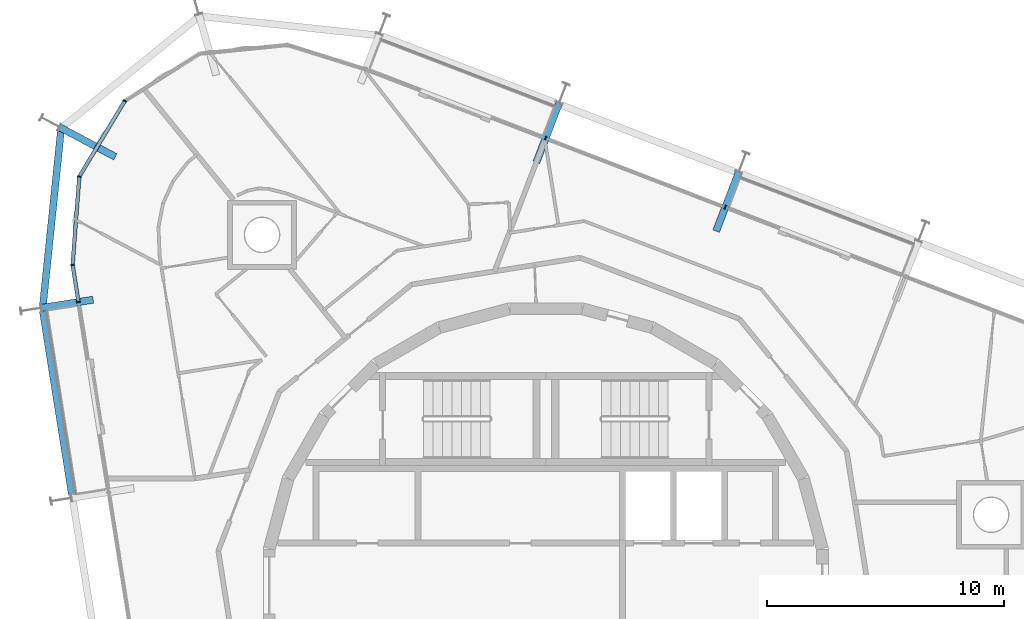
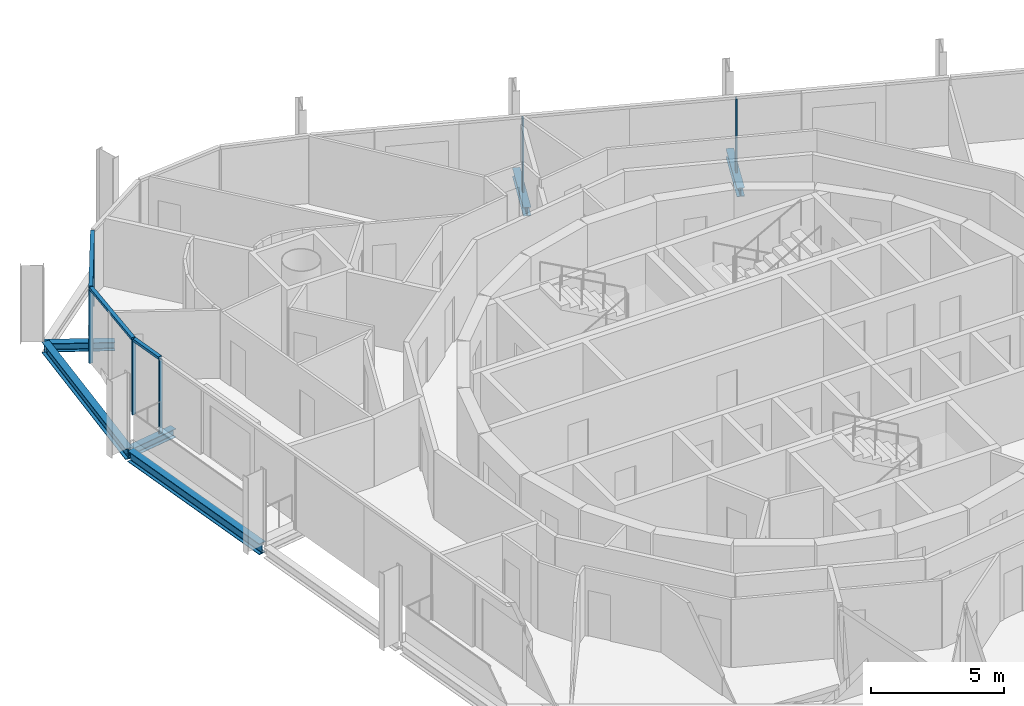
# One storey, part 6 of 18: 9 members, 6 beams, 3 elements without a shape of their own.
"""IFC4 building model written with IfcOpenShell, lengths in metres."""

from ifc_helpers import new_model, si_unit, direction, frame, origin, origin_2d, place, context, subcontext, project, spatial, rectangle, i_section, extrude, material, layer, layer_set, material_profile, profile_set, type_object, element, aggregate, save


model = new_model("IFC4")

# Units and contexts
model_context = context("Model", 3, precision=1e-05, world=origin(), true_north=direction((0.0, 1.0)))
body_context = subcontext(model_context, "Body", "Model", "MODEL_VIEW")
ifc_project = project(units=[si_unit("LENGTHUNIT", "METRE"), si_unit("AREAUNIT", "SQUARE_METRE"), si_unit("VOLUMEUNIT", "CUBIC_METRE"), si_unit("PLANEANGLEUNIT", "RADIAN"), si_unit("MASSUNIT", "GRAM", prefix="KILO")], contexts=[model_context])

# Site, building, storey
site_placement = place(None, origin())
site = spatial("IfcSite", under=ifc_project, at=site_placement, CompositionType="ELEMENT")
building_placement = place(site_placement, origin())
building = spatial("IfcBuilding", under=site, at=building_placement, Name="Spindle Arch Residences", CompositionType="ELEMENT")
storey_placement = place(building_placement, frame((0.0, 0.0, 273.89990234375)))
storey = spatial("IfcBuildingStorey", under=building, at=storey_placement, Name="L70", CompositionType="ELEMENT", Elevation=273.89990234375)

# Curtain wall, members
ifc_material_1 = material(Name="Aluminium bronze unitised frame with tinted glass", Category="aluminium")
ifc_layer_1 = layer(ifc_material_1, 0.159912109375)
ifc_layer_set_1 = layer_set([ifc_layer_1], Name="CW-C typical residential unitised wall")
curtain_wall_type_1 = type_object("IfcCurtainWallType", Name="CW-C typical residential unitised wall", PredefinedType="NOTDEFINED", material=ifc_layer_set_1)
curtain_wall_1_placement = place(storey_placement, origin())
curtain_wall_1 = element("IfcCurtainWall", 1, at=curtain_wall_1_placement, inside=storey, type_object=curtain_wall_type_1, Name="CW-C L70 run 2", PredefinedType="NOTDEFINED")
ifc_material_2 = material(Name="Aluminium bronze anodised mullion", Category="aluminium")
ifc_material_profile_1 = material_profile(ifc_material_2, rectangle(XDim=0.159912109375, YDim=0.06005859375, at=origin_2d()), Name="MU 60x160")
ifc_profile_set_1 = profile_set([ifc_material_profile_1], Name="Aluminium bronze anodised mullion")
member_type_1 = type_object("IfcMemberType", Name="Bronze mullion 60x160", PredefinedType="MULLION", material=ifc_profile_set_1)
member_1_placement = place(storey_placement, frame((7.560302734375, 15.9248046875, -0.3798828125), z_axis=(0.0, 0.0, 1.0), x_axis=(-0.358367949545, -0.933580426497, 0.0)))
member_1 = element("IfcMember", 2, at=member_1_placement, type_object=member_type_1, Name="CW-C mullion 06", PredefinedType="MULLION", context=body_context, shape_type="SweptSolid", body=[
    extrude(rectangle(XDim=0.159912109375, YDim=0.06005859375, at=origin_2d()), origin(), (0.0, 0.0, 1.0), 3.3798828125),
])
member_2_placement = place(storey_placement, frame((-0.0087890625, 18.830322265625, -0.3798828125), z_axis=(0.0, 0.0, 1.0), x_axis=(-0.358367949545, -0.933580426497, 0.0)))
member_2 = element("IfcMember", 3, at=member_2_placement, type_object=member_type_1, Name="CW-C mullion 07", PredefinedType="MULLION", context=body_context, shape_type="SweptSolid", body=[
    extrude(rectangle(XDim=0.159912109375, YDim=0.06005859375, at=origin_2d()), origin(), (0.0, 0.0, 1.0), 3.3798828125),
])
aggregate(curtain_wall_1, [member_1, member_2])

ifc_material_3 = material(Name="Aluminium bronze unitised frame with tinted glass", Category="aluminium")
ifc_layer_2 = layer(ifc_material_3, 0.159912109375)
ifc_layer_set_2 = layer_set([ifc_layer_2], Name="CW-D corner wall on the fillet arcs")
curtain_wall_type_2 = type_object("IfcCurtainWallType", Name="CW-D corner wall on the fillet arcs", PredefinedType="NOTDEFINED", material=ifc_layer_set_2)
curtain_wall_2_placement = place(storey_placement, origin())
curtain_wall_2 = element("IfcCurtainWall", 4, at=curtain_wall_2_placement, inside=storey, type_object=curtain_wall_type_2, Name="CW-D L70 run 3", PredefinedType="NOTDEFINED")
member_3_placement = place(storey_placement, frame((-17.732421875, 20.406982421875, -0.3798828125), z_axis=(0.0, 0.0, 1.0), x_axis=(0.857167301925, -0.515038072875, 0.0)))
member_3 = element("IfcMember", 5, at=member_3_placement, type_object=member_type_1, Name="CW-D mullion 03", PredefinedType="MULLION", context=body_context, shape_type="SweptSolid", body=[
    extrude(rectangle(XDim=0.159912109375, YDim=0.06005859375, at=origin_2d()), origin(), (0.0, 0.0, 1.0), 3.3798828125),
])
member_4_placement = place(storey_placement, frame((-19.65185546875, 17.212646484375, -0.3798828125), z_axis=(0.0, 0.0, 1.0), x_axis=(0.997141344139, -0.07555884997, 0.0)))
member_4 = element("IfcMember", 6, at=member_4_placement, type_object=member_type_1, Name="CW-D mullion 04", PredefinedType="MULLION", context=body_context, shape_type="SweptSolid", body=[
    extrude(rectangle(XDim=0.159912109375, YDim=0.06005859375, at=origin_2d()), origin(), (0.0, 0.0, 1.0), 3.3798828125),
])
member_5_placement = place(storey_placement, frame((-19.933349609375, 13.49658203125, -0.3798828125), z_axis=(0.0, 0.0, 1.0), x_axis=(0.987688340595, 0.15643446504, 0.0)))
member_5 = element("IfcMember", 7, at=member_5_placement, type_object=member_type_1, Name="CW-D mullion 05", PredefinedType="MULLION", context=body_context, shape_type="SweptSolid", body=[
    extrude(rectangle(XDim=0.159912109375, YDim=0.06005859375, at=origin_2d()), origin(), (0.0, 0.0, 1.0), 3.3798828125),
])

# Curtain wall, member
curtain_wall_3_placement = place(storey_placement, origin())
curtain_wall_3 = element("IfcCurtainWall", 8, at=curtain_wall_3_placement, inside=storey, type_object=curtain_wall_type_1, Name="CW-C L70 run 4", PredefinedType="NOTDEFINED")
member_6_placement = place(storey_placement, frame((-19.685546875, 11.931396484375, -0.3798828125), z_axis=(0.0, 0.0, 1.0), x_axis=(0.987688340595, 0.15643446504, 0.0)))
member_6 = element("IfcMember", 9, at=member_6_placement, type_object=member_type_1, Name="CW-C mullion 11", PredefinedType="MULLION", context=body_context, shape_type="SweptSolid", body=[
    extrude(rectangle(XDim=0.159912109375, YDim=0.06005859375, at=origin_2d()), origin(), (0.0, 0.0, 1.0), 3.3798828125),
])
aggregate(curtain_wall_3, [member_6])

# Member
ifc_material_4 = material(Name="Aluminium bronze anodised transom", Category="aluminium")
ifc_material_profile_2 = material_profile(ifc_material_4, rectangle(XDim=0.159912109375, YDim=0.1201171875, at=origin_2d()), Name="TR 120x160")
ifc_profile_set_2 = profile_set([ifc_material_profile_2], Name="Aluminium bronze anodised transom")
member_type_2 = type_object("IfcMemberType", Name="Bronze transom 120x160", PredefinedType="USERDEFINED", material=ifc_profile_set_2)
member_7_placement = place(storey_placement, frame((-17.747802734375, 20.38134765625, 3.06005859375), z_axis=(-0.515014612012, -0.857181398196, 0.0), x_axis=(0.857181398196, -0.515014612012, 0.0)))
member_7 = element("IfcMember", 10, at=member_7_placement, type_object=member_type_2, Name="CW-D transom 03", ObjectType="TRANSOM", PredefinedType="USERDEFINED", context=body_context, shape_type="SweptSolid", body=[
    extrude(rectangle(XDim=0.159912109375, YDim=0.1201171875, at=origin_2d()), origin(), (0.0, 0.0, 1.0), 3.666748046875),
])

member_8_placement = place(storey_placement, frame((-19.654052734375, 17.1826171875, 3.06005859375), z_axis=(-0.07557120479, -0.99714040787, 0.0), x_axis=(0.99714040787, -0.07557120479, 0.0)))
member_8 = element("IfcMember", 11, at=member_8_placement, type_object=member_type_2, Name="CW-D transom 04", ObjectType="TRANSOM", PredefinedType="USERDEFINED", context=body_context, shape_type="SweptSolid", body=[
    extrude(rectangle(XDim=0.159912109375, YDim=0.1201171875, at=origin_2d()), origin(), (0.0, 0.0, 1.0), 3.666748046875),
])

member_9_placement = place(storey_placement, frame((-19.9287109375, 13.466796875, 3.06005859375), z_axis=(0.156447707445, -0.987686243113, 0.0), x_axis=(0.987686243113, 0.156447707445, 0.0)))
member_9 = element("IfcMember", 12, at=member_9_placement, type_object=member_type_2, Name="CW-D transom 05", ObjectType="TRANSOM", PredefinedType="USERDEFINED", context=body_context, shape_type="SweptSolid", body=[
    extrude(rectangle(XDim=0.159912109375, YDim=0.1201171875, at=origin_2d()), origin(), (0.0, 0.0, 1.0), 1.524658203125),
])

aggregate(curtain_wall_2, [member_3, member_7, member_4, member_8, member_5, member_9])

# Beams
ifc_material_5 = material(Name="Steel S460ML, intumescent coating R 120", Category="steel")
ifc_material_profile_3 = material_profile(ifc_material_5, i_section(OverallWidth=0.300048828125, OverallDepth=0.5, WebThickness=0.014404296875, FlangeThickness=0.028076171875, FilletRadius=0.027099609375, at=origin_2d()), Name="HEB 500")
ifc_profile_set_3 = profile_set([ifc_material_profile_3], Name="Steel S460ML, intumescent coating R 120")
beam_type_1 = type_object("IfcBeamType", Name="Exoskeleton edge beam HEB 500", PredefinedType="BEAM", material=ifc_profile_set_3)
beam_1_placement = place(storey_placement, frame((-20.41015625, 19.294189453125, -0.6298828125), z_axis=(-0.102188803119, -0.99476502176, 0.0), x_axis=(0.99476502176, -0.102188803119, 0.0)))
element("IfcBeam", 13, at=beam_1_placement, inside=storey, type_object=beam_type_1, Name="Exoskeleton edge beam 11", PredefinedType="BEAM", context=body_context, shape_type="SweptSolid", body=[
    extrude(i_section(OverallWidth=0.300048828125, OverallDepth=0.5, WebThickness=0.014404296875, FlangeThickness=0.028076171875, FilletRadius=0.027099609375, at=origin_2d()), origin(), (0.0, 0.0, 1.0), 7.6689453125),
])
beam_2_placement = place(storey_placement, frame((-21.186279296875, 11.56201171875, -0.6298828125), z_axis=(0.156453001738, -0.987685404492, 0.0), x_axis=(0.987685404492, 0.156453001738, 0.0)))
element("IfcBeam", 14, at=beam_2_placement, inside=storey, type_object=beam_type_1, Name="Exoskeleton edge beam 12", PredefinedType="BEAM", context=body_context, shape_type="SweptSolid", body=[
    extrude(i_section(OverallWidth=0.300048828125, OverallDepth=0.5, WebThickness=0.014404296875, FlangeThickness=0.028076171875, FilletRadius=0.027099609375, at=origin_2d()), origin(), (0.0, 0.0, 1.0), 7.84765625),
])
ifc_material_6 = material(Name="Steel S460ML, intumescent coating R 120", Category="steel")
ifc_material_profile_4 = material_profile(ifc_material_6, i_section(OverallWidth=0.300048828125, OverallDepth=0.389892578125, WebThickness=0.010986328125, FlangeThickness=0.01904296875, FilletRadius=0.027099609375, at=origin_2d()), Name="HEA 400")
ifc_profile_set_4 = profile_set([ifc_material_profile_4], Name="Steel S460ML, intumescent coating R 120")
beam_type_2 = type_object("IfcBeamType", Name="Floor outrigger HEA 400", PredefinedType="BEAM", material=ifc_profile_set_4)
for number, where, z_axis, x_axis, name in (
    (15, (8.123046875, 17.390625, -0.574951171875), (-0.358392499624, -0.933571002234, 0.0), (0.933571002234, -0.358392499624, 0.0), "Floor outrigger 7"),
    (16, (0.553955078125, 20.296142578125, -0.574951171875), (-0.358392499624, -0.933571002234, 0.0), (0.933571002234, -0.358392499624, 0.0), "Floor outrigger 8"),
    (17, (-20.472900390625, 19.29150390625, -0.574951171875), (0.882885392442, -0.469588526065, 0.0), (0.469588526065, 0.882885392442, 0.0), "Floor outrigger 11"),
):
    element("IfcBeam", number, at=place(storey_placement, frame(where, z_axis=z_axis, x_axis=x_axis)), inside=storey, type_object=beam_type_2, Name=name, PredefinedType="BEAM", context=body_context, shape_type="SweptSolid", body=[
        extrude(i_section(OverallWidth=0.300048828125, OverallDepth=0.389892578125, WebThickness=0.010986328125, FlangeThickness=0.01904296875, FilletRadius=0.027099609375, at=origin_2d()), origin(), (0.0, 0.0, 1.0), 2.64990234375),
    ])
beam_3_placement = place(storey_placement, frame((-21.236083984375, 11.685791015625, -0.574951171875), z_axis=(0.987697139372, 0.156378901635, 0.0), x_axis=(-0.156378901635, 0.987697139372, 0.0)))
element("IfcBeam", 18, at=beam_3_placement, inside=storey, type_object=beam_type_2, Name="Floor outrigger 12", PredefinedType="BEAM", context=body_context, shape_type="SweptSolid", body=[
    extrude(i_section(OverallWidth=0.300048828125, OverallDepth=0.389892578125, WebThickness=0.010986328125, FlangeThickness=0.01904296875, FilletRadius=0.027099609375, at=origin_2d()), origin(), (0.0, 0.0, 1.0), 2.1982421875),
])

save(model, "model.ifc")
